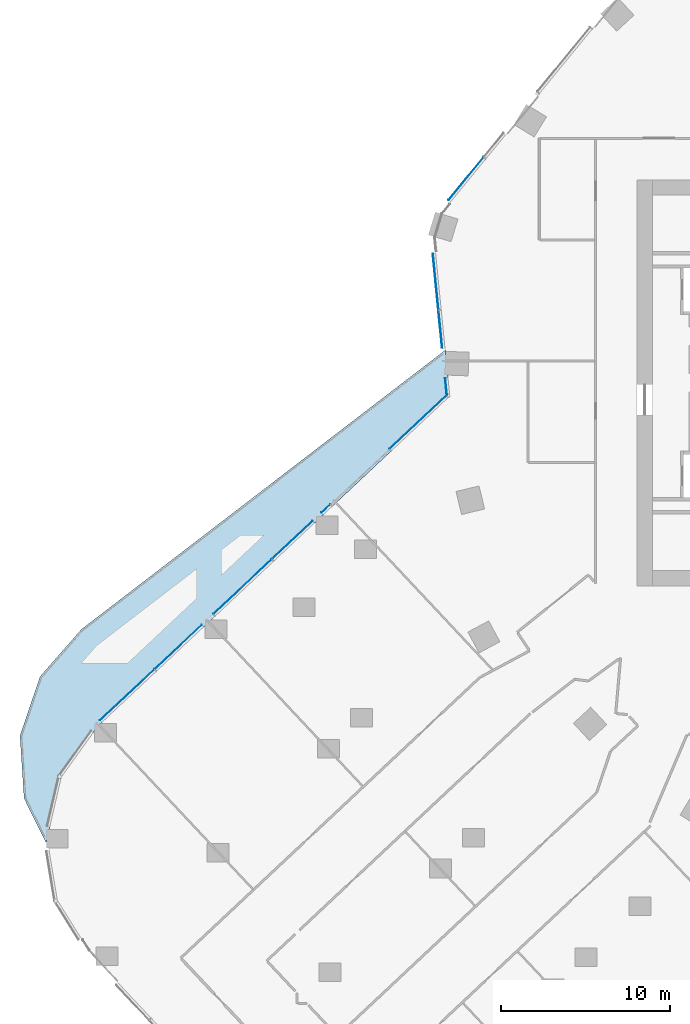
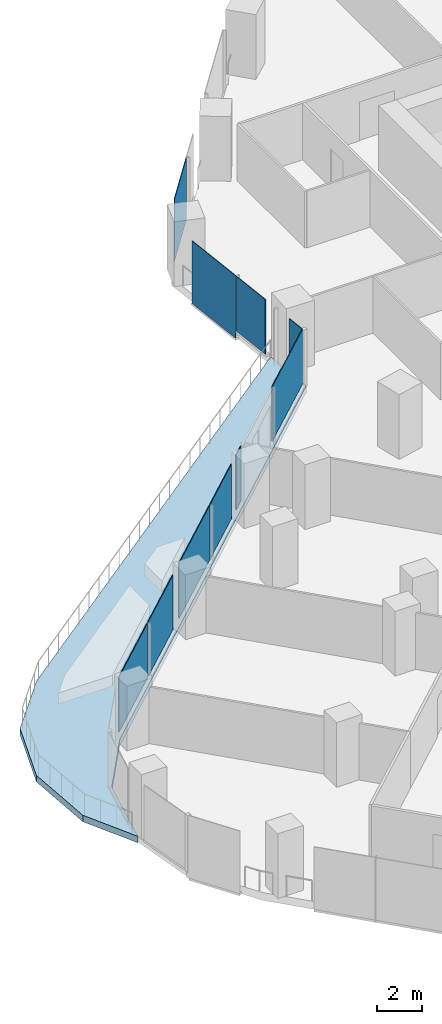
# One storey, part 18 of 34: 10 plates, 1 slab, 3 elements without a shape of their own.
"""IFC4 building model written with IfcOpenShell, lengths in metres."""

from ifc_helpers import new_model, si_unit, direction, frame, origin, origin_2d, place, context, subcontext, project, spatial, polyline, rectangle, outline, extrude, material, layer, layer_set, type_object, element, aggregate, save


model = new_model("IFC4")

# Units and contexts
model_context = context("Model", 3, precision=1e-05, world=origin(), true_north=direction((0.0, 1.0)))
body_context = subcontext(model_context, "Body", "Model", "MODEL_VIEW")
ifc_project = project(units=[si_unit("LENGTHUNIT", "METRE"), si_unit("AREAUNIT", "SQUARE_METRE"), si_unit("VOLUMEUNIT", "CUBIC_METRE"), si_unit("PLANEANGLEUNIT", "RADIAN"), si_unit("MASSUNIT", "GRAM", prefix="KILO")], contexts=[model_context])

# Site, building, storey
site_placement = place(None, origin())
site = spatial("IfcSite", under=ifc_project, at=site_placement, CompositionType="ELEMENT")
building_placement = place(site_placement, origin())
building = spatial("IfcBuilding", under=site, at=building_placement, Name="Orlundy Tower", CompositionType="ELEMENT")
storey_placement = place(building_placement, frame((0.0, 0.0, 37.300048828125)))
storey = spatial("IfcBuildingStorey", under=building, at=storey_placement, Name="L07", CompositionType="ELEMENT", Elevation=37.300048828125)

# Curtain wall, plates
ifc_material_1 = material(Name="Aluminium bronze anodised", Category="aluminium")
curtain_wall_type = type_object("IfcCurtainWallType", Name="CW1 wall", PredefinedType="NOTDEFINED", material=ifc_material_1)
curtain_wall_1_placement = place(storey_placement, origin())
curtain_wall_1 = element("IfcCurtainWall", 1, at=curtain_wall_1_placement, inside=storey, type_object=curtain_wall_type, Name="CW1 run 00", PredefinedType="NOTDEFINED")
ifc_material_2 = material(Name="Tinted glass", Category="glass")
ifc_layer_1 = layer(ifc_material_2, 0.031982421875)
ifc_layer_set_1 = layer_set([ifc_layer_1], Name="CW1 glass panel 32")
plate_type = type_object("IfcPlateType", Name="CW1 glass panel 32", PredefinedType="CURTAIN_PANEL", material=ifc_layer_set_1)
plate_1_placement = place(storey_placement, frame((-49.14013671875, -18.446044921875, 0.119873046875), z_axis=(0.0, 0.0, 1.0), x_axis=(0.729351371178, 0.684139296752, 0.0)))
plate_1 = element("IfcPlate", 2, at=plate_1_placement, type_object=plate_type, Name="CW1 panel", PredefinedType="CURTAIN_PANEL", context=body_context, shape_type="SweptSolid", body=[
    extrude(rectangle(XDim=4.3818359375, YDim=0.031982421875, at=origin_2d()), origin(), (0.0, 0.0, 1.0), 2.9599609375),
])
plate_2_placement = place(storey_placement, frame((-46.118408203125, -15.611572265625, 0.119873046875), z_axis=(0.0, 0.0, 1.0), x_axis=(0.729351371178, 0.684139296752, 0.0)))
plate_2 = element("IfcPlate", 3, at=plate_2_placement, type_object=plate_type, Name="CW1 panel", PredefinedType="CURTAIN_PANEL", context=body_context, shape_type="SweptSolid", body=[
    extrude(rectangle(XDim=3.80419921875, YDim=0.031982421875, at=origin_2d()), origin(), (0.0, 0.0, 1.0), 2.9599609375),
])
plate_3_placement = place(storey_placement, frame((-42.3212890625, -12.050048828125, 0.119873046875), z_axis=(0.0, 0.0, 1.0), x_axis=(0.729351371178, 0.684139296752, 0.0)))
plate_3 = element("IfcPlate", 4, at=plate_3_placement, type_object=plate_type, Name="CW1 panel", PredefinedType="CURTAIN_PANEL", context=body_context, shape_type="SweptSolid", body=[
    extrude(rectangle(XDim=4.705322265625, YDim=0.031982421875, at=origin_2d()), origin(), (0.0, 0.0, 1.0), 2.9599609375),
])
plate_4_placement = place(storey_placement, frame((-39.3798828125, -9.291015625, 0.119873046875), z_axis=(0.0, 0.0, 1.0), x_axis=(0.729351371178, 0.684139296752, 0.0)))
plate_4 = element("IfcPlate", 5, at=plate_4_placement, type_object=plate_type, Name="CW1 panel", PredefinedType="CURTAIN_PANEL", context=body_context, shape_type="SweptSolid", body=[
    extrude(rectangle(XDim=3.260498046875, YDim=0.031982421875, at=origin_2d()), origin(), (0.0, 0.0, 1.0), 2.9599609375),
])
plate_5_placement = place(storey_placement, frame((-37.397705078125, -7.431640625, 0.119873046875), z_axis=(0.0, 0.0, 1.0), x_axis=(0.729351371178, 0.684139296752, 0.0)))
plate_5 = element("IfcPlate", 6, at=plate_5_placement, type_object=plate_type, Name="CW1 panel", PredefinedType="CURTAIN_PANEL", context=body_context, shape_type="SweptSolid", body=[
    extrude(rectangle(XDim=0.714599609375, YDim=0.031982421875, at=origin_2d()), origin(), (0.0, 0.0, 1.0), 2.9599609375),
])
plate_6_placement = place(storey_placement, frame((-31.936767578125, -2.30908203125, 0.119873046875), z_axis=(0.0, 0.0, 1.0), x_axis=(0.729351371178, 0.684139296752, 0.0)))
plate_6 = element("IfcPlate", 7, at=plate_6_placement, type_object=plate_type, Name="CW1 panel", PredefinedType="CURTAIN_PANEL", context=body_context, shape_type="SweptSolid", body=[
    extrude(rectangle(XDim=4.6494140625, YDim=0.031982421875, at=origin_2d()), origin(), (0.0, 0.0, 1.0), 2.9599609375),
])
aggregate(curtain_wall_1, [plate_1, plate_2, plate_3, plate_4, plate_5, plate_6])

curtain_wall_2_placement = place(storey_placement, origin())
curtain_wall_2 = element("IfcCurtainWall", 8, at=curtain_wall_2_placement, inside=storey, type_object=curtain_wall_type, Name="CW1 run 01", PredefinedType="NOTDEFINED")
plate_7_placement = place(storey_placement, frame((-30.289794921875, -0.228515625, 0.119873046875), z_axis=(0.0, 0.0, 1.0), x_axis=(-0.098671826867, 0.995120028229, 0.0)))
plate_7 = element("IfcPlate", 9, at=plate_7_placement, type_object=plate_type, Name="CW1 panel", PredefinedType="CURTAIN_PANEL", context=body_context, shape_type="SweptSolid", body=[
    extrude(rectangle(XDim=0.98486328125, YDim=0.031982421875, at=origin_2d()), origin(), (0.0, 0.0, 1.0), 2.9599609375),
])
plate_8_placement = place(storey_placement, frame((-30.626708984375, 3.169189453125, 0.119873046875), z_axis=(0.0, 0.0, 1.0), x_axis=(-0.098671826867, 0.995120028229, 0.0)))
plate_8 = element("IfcPlate", 10, at=plate_8_placement, type_object=plate_type, Name="CW1 panel", PredefinedType="CURTAIN_PANEL", context=body_context, shape_type="SweptSolid", body=[
    extrude(rectangle(XDim=2.210205078125, YDim=0.031982421875, at=origin_2d()), origin(), (0.0, 0.0, 1.0), 2.9599609375),
])
plate_9_placement = place(storey_placement, frame((-30.904296875, 5.968994140625, -0.300048828125), z_axis=(0.0, 0.0, 1.0), x_axis=(-0.098671826867, 0.995120028229, 0.0)))
plate_9 = element("IfcPlate", 11, at=plate_9_placement, type_object=plate_type, Name="CW1 panel", PredefinedType="CURTAIN_PANEL", context=body_context, shape_type="SweptSolid", body=[
    extrude(rectangle(XDim=3.316650390625, YDim=0.031982421875, at=origin_2d()), origin(), (0.0, 0.0, 1.0), 3.3798828125),
])
aggregate(curtain_wall_2, [plate_7, plate_8, plate_9])

# Curtain wall, plate
curtain_wall_3_placement = place(storey_placement, origin())
curtain_wall_3 = element("IfcCurtainWall", 12, at=curtain_wall_3_placement, inside=storey, type_object=curtain_wall_type, Name="CW1 run 02", PredefinedType="NOTDEFINED")
plate_10_placement = place(storey_placement, frame((-29.10546875, 12.071533203125, -0.300048828125), z_axis=(0.0, 0.0, 1.0), x_axis=(0.633818264458, 0.773482002143, 0.0)))
plate_10 = element("IfcPlate", 13, at=plate_10_placement, type_object=plate_type, Name="CW1 panel", PredefinedType="CURTAIN_PANEL", context=body_context, shape_type="SweptSolid", body=[
    extrude(rectangle(XDim=3.259765625, YDim=0.031982421875, at=origin_2d()), origin(), (0.0, 0.0, 1.0), 3.3798828125),
])
aggregate(curtain_wall_3, [plate_10])

# Slab
ifc_material_3 = material(Name="Concrete C45/55", Category="concrete")
ifc_layer_2 = layer(ifc_material_3, 0.35009765625)
ifc_layer_set_2 = layer_set([ifc_layer_2], Name="TERRACE SLAB 350 C45/55")
slab_type = type_object("IfcSlabType", Name="TERRACE SLAB 350 C45/55", PredefinedType="ROOF", material=ifc_layer_set_2)
slab_placement = place(storey_placement, frame((0.0, 0.0, -0.35009765625)))
element("IfcSlab", 14, at=slab_placement, inside=storey, type_object=slab_type, Name="Terrace slab L07-3", PredefinedType="ROOF", context=body_context, shape_type="SweptSolid", body=[
    extrude(outline(polyline([(-55.236083984375, -24.56689453125), (-55.47802734375, -20.867919921875), (-54.287109375, -17.35791015625), (-51.843017578125, -14.571044921875), (-30.337890625, 1.929931640625), (-30.070068359375, -0.782958984375), (-50.8798828125, -20.302978515625), (-53.037109375, -23.31689453125), (-53.93798828125, -27.196044921875), (-55.236083984375, -24.56689453125)])), origin(), (0.0, 0.0, 1.0), 0.35009765625),
])

save(model, "model.ifc")
